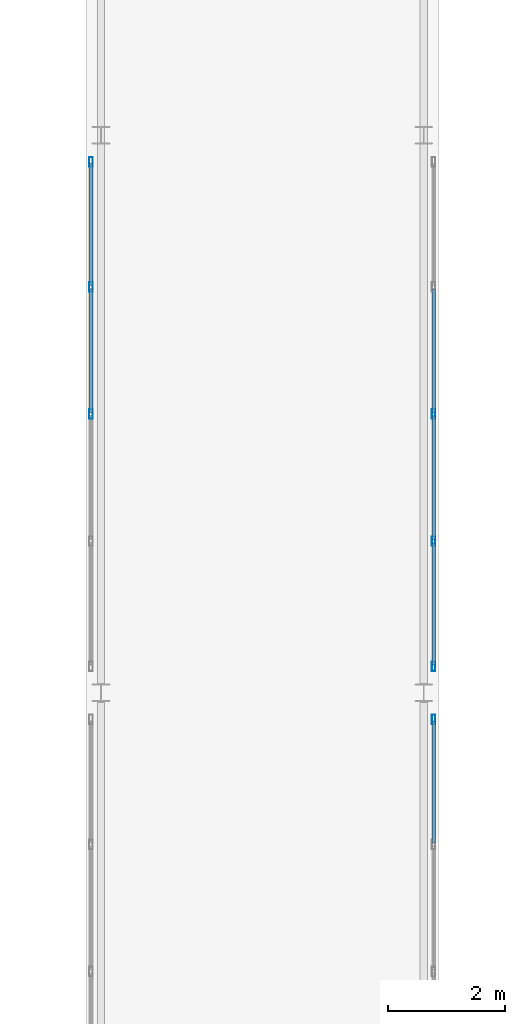
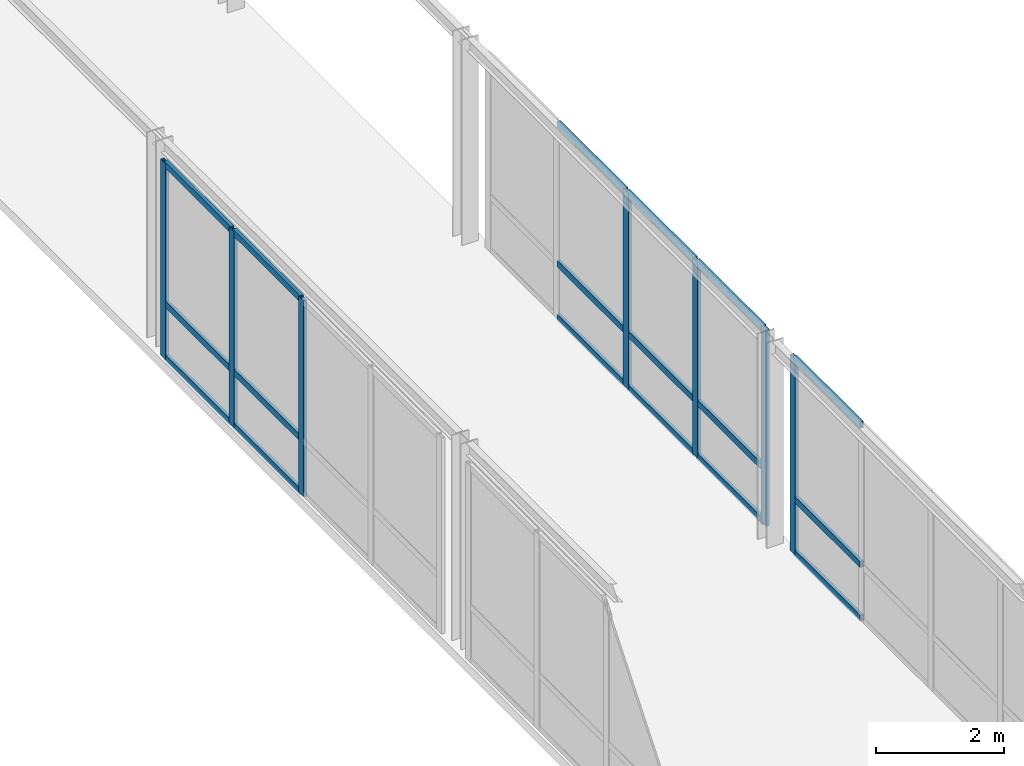
# One storey, part 42 of 189: 25 members, 3 elements without a shape of their own.
"""IFC4 building model written with IfcOpenShell, lengths in metres."""

from ifc_helpers import new_model, si_unit, direction, frame, origin, origin_2d, place, context, subcontext, project, spatial, hollow_rectangle, extrude, material, layer, layer_set, material_profile, profile_set, type_object, element, aggregate, save


model = new_model("IFC4")

# Units and contexts
model_context = context("Model", 3, precision=1e-05, world=origin(), true_north=direction((0.0, 1.0)))
body_context = subcontext(model_context, "Body", "Model", "MODEL_VIEW")
ifc_project = project(units=[si_unit("LENGTHUNIT", "METRE"), si_unit("AREAUNIT", "SQUARE_METRE"), si_unit("VOLUMEUNIT", "CUBIC_METRE"), si_unit("PLANEANGLEUNIT", "RADIAN"), si_unit("MASSUNIT", "GRAM", prefix="KILO")], contexts=[model_context])

# Site, building, storey
site_placement = place(None, origin())
site = spatial("IfcSite", under=ifc_project, at=site_placement, CompositionType="ELEMENT")
building_placement = place(site_placement, origin())
building = spatial("IfcBuilding", under=site, at=building_placement, Name="Montecoro Central Library", CompositionType="ELEMENT")
storey_placement = place(building_placement, frame((0.0, 0.0, 9.179931640625)))
storey = spatial("IfcBuildingStorey", under=building, at=storey_placement, Name="L02", CompositionType="ELEMENT", Elevation=9.179931640625)

# Curtain wall, members
ifc_material_1 = material(Name="Bronze-anodised aluminium and low-E glazing", Category="aluminium")
ifc_layer_1 = layer(ifc_material_1, 0.159912109375)
ifc_layer_set_1 = layer_set([ifc_layer_1], Name="Bronze-anodised aluminium and low-E glazing")
curtain_wall_type_1 = type_object("IfcCurtainWallType", Name="CWT-082", PredefinedType="NOTDEFINED", material=ifc_layer_set_1)
curtain_wall_1_placement = place(storey_placement, origin())
curtain_wall_1 = element("IfcCurtainWall", 1, at=curtain_wall_1_placement, inside=storey, type_object=curtain_wall_type_1, Name="BR-W-L02-CW-W2", PredefinedType="NOTDEFINED")
ifc_material_2 = material(Name="Bronze-anodised aluminium", Category="aluminium")
ifc_material_profile_1 = material_profile(ifc_material_2, hollow_rectangle(XDim=0.06005859375, YDim=0.159912109375, WallThickness=0.00390625, at=origin_2d()), Name="CWM 160x60x4.0")
ifc_profile_set_1 = profile_set([ifc_material_profile_1], Name="Bronze-anodised aluminium")
member_type_1 = type_object("IfcMemberType", Name="CWM-BRZ-60", PredefinedType="MULLION", material=ifc_profile_set_1)
member_1_placement = place(storey_placement, frame((24.8798828125, 59.14990234375, 0.0), z_axis=(0.0, 0.0, 1.0), x_axis=(-1.0, 0.0, 0.0)))
member_1 = element("IfcMember", 2, at=member_1_placement, type_object=member_type_1, Name="CW-082 mullion 3", PredefinedType="MULLION", context=body_context, shape_type="SweptSolid", body=[
    extrude(hollow_rectangle(XDim=0.06005859375, YDim=0.159912109375, WallThickness=0.00390625, at=origin_2d()), origin(), (0.0, 0.0, 1.0), 3.72998046875),
])
member_2_placement = place(storey_placement, frame((24.8798828125, 61.31494140625, 0.0), z_axis=(0.0, 0.0, 1.0), x_axis=(-1.0, 0.0, 0.0)))
member_2 = element("IfcMember", 3, at=member_2_placement, type_object=member_type_1, Name="CW-082 mullion 4", PredefinedType="MULLION", context=body_context, shape_type="SweptSolid", body=[
    extrude(hollow_rectangle(XDim=0.06005859375, YDim=0.159912109375, WallThickness=0.00390625, at=origin_2d()), origin(), (0.0, 0.0, 1.0), 3.72998046875),
])
member_3_placement = place(storey_placement, frame((24.8798828125, 63.449951171875, 0.0), z_axis=(0.0, 0.0, 1.0), x_axis=(-1.0, 0.0, 0.0)))
member_3 = element("IfcMember", 4, at=member_3_placement, type_object=member_type_1, Name="CW-082 mullion 5", PredefinedType="MULLION", context=body_context, shape_type="SweptSolid", body=[
    extrude(hollow_rectangle(XDim=0.06005859375, YDim=0.159912109375, WallThickness=0.00390625, at=origin_2d()), origin(), (0.0, 0.0, 1.0), 3.72998046875),
])

# Curtain wall, member
ifc_layer_2 = layer(ifc_material_1, 0.159912109375)
ifc_layer_set_2 = layer_set([ifc_layer_2], Name="Bronze-anodised aluminium and low-E glazing")
curtain_wall_type_2 = type_object("IfcCurtainWallType", Name="CWT-081", PredefinedType="NOTDEFINED", material=ifc_layer_set_2)
curtain_wall_2_placement = place(storey_placement, origin())
curtain_wall_2 = element("IfcCurtainWall", 5, at=curtain_wall_2_placement, inside=storey, type_object=curtain_wall_type_2, Name="BR-W-L02-CW-E1", PredefinedType="NOTDEFINED")
member_4_placement = place(storey_placement, frame((30.719970703125, 53.949951171875, 0.0), z_axis=(0.0, 0.0, 1.0), x_axis=(-1.0, 0.0, 0.0)))
member_4 = element("IfcMember", 6, at=member_4_placement, type_object=member_type_1, Name="CW-081 mullion 5", PredefinedType="MULLION", context=body_context, shape_type="SweptSolid", body=[
    extrude(hollow_rectangle(XDim=0.06005859375, YDim=0.159912109375, WallThickness=0.00390625, at=origin_2d()), origin(), (0.0, 0.0, 1.0), 3.72998046875),
])

# Curtain wall, members
curtain_wall_3_placement = place(storey_placement, origin())
curtain_wall_3 = element("IfcCurtainWall", 7, at=curtain_wall_3_placement, inside=storey, type_object=curtain_wall_type_1, Name="BR-W-L02-CW-E2", PredefinedType="NOTDEFINED")
member_5_placement = place(storey_placement, frame((30.719970703125, 54.85009765625, 0.0), z_axis=(0.0, 0.0, 1.0), x_axis=(-1.0, 0.0, 0.0)))
member_5 = element("IfcMember", 8, at=member_5_placement, type_object=member_type_1, Name="CW-082 mullion 1", PredefinedType="MULLION", context=body_context, shape_type="SweptSolid", body=[
    extrude(hollow_rectangle(XDim=0.06005859375, YDim=0.159912109375, WallThickness=0.00390625, at=origin_2d()), origin(), (0.0, 0.0, 1.0), 3.72998046875),
])
member_6_placement = place(storey_placement, frame((30.719970703125, 56.985107421875, 0.0), z_axis=(0.0, 0.0, 1.0), x_axis=(-1.0, 0.0, 0.0)))
member_6 = element("IfcMember", 9, at=member_6_placement, type_object=member_type_1, Name="CW-082 mullion 2", PredefinedType="MULLION", context=body_context, shape_type="SweptSolid", body=[
    extrude(hollow_rectangle(XDim=0.06005859375, YDim=0.159912109375, WallThickness=0.00390625, at=origin_2d()), origin(), (0.0, 0.0, 1.0), 3.72998046875),
])
member_7_placement = place(storey_placement, frame((30.719970703125, 59.14990234375, 0.0), z_axis=(0.0, 0.0, 1.0), x_axis=(-1.0, 0.0, 0.0)))
member_7 = element("IfcMember", 10, at=member_7_placement, type_object=member_type_1, Name="CW-082 mullion 3", PredefinedType="MULLION", context=body_context, shape_type="SweptSolid", body=[
    extrude(hollow_rectangle(XDim=0.06005859375, YDim=0.159912109375, WallThickness=0.00390625, at=origin_2d()), origin(), (0.0, 0.0, 1.0), 3.72998046875),
])

# Member
ifc_material_profile_2 = material_profile(ifc_material_2, hollow_rectangle(XDim=0.06005859375, YDim=0.1201171875, WallThickness=0.00390625, at=origin_2d()), Name="CWT 120x60x4.0")
ifc_profile_set_2 = profile_set([ifc_material_profile_2], Name="Bronze-anodised aluminium")
member_type_2 = type_object("IfcMemberType", Name="CWT-BRZ-60", PredefinedType="USERDEFINED", material=ifc_profile_set_2)
member_8_placement = place(storey_placement, frame((24.8798828125, 59.179931640625, 0.030029296875), z_axis=(0.0, 1.0, 0.0), x_axis=(-1.0, 0.0, 0.0)))
member_8 = element("IfcMember", 11, at=member_8_placement, type_object=member_type_2, Name="CW-082 transom 3.1", ObjectType="TRANSOM", PredefinedType="USERDEFINED", context=body_context, shape_type="SweptSolid", body=[
    extrude(hollow_rectangle(XDim=0.06005859375, YDim=0.1201171875, WallThickness=0.00390625, at=origin_2d()), origin(), (0.0, 0.0, 1.0), 2.10498046875),
])

member_9_placement = place(storey_placement, frame((24.8798828125, 59.179931640625, 1.050048828125), z_axis=(0.0, 1.0, 0.0), x_axis=(-1.0, 0.0, 0.0)))
member_9 = element("IfcMember", 12, at=member_9_placement, type_object=member_type_2, Name="CW-082 transom 3.2", ObjectType="TRANSOM", PredefinedType="USERDEFINED", context=body_context, shape_type="SweptSolid", body=[
    extrude(hollow_rectangle(XDim=0.06005859375, YDim=0.1201171875, WallThickness=0.00390625, at=origin_2d()), origin(), (0.0, 0.0, 1.0), 2.10498046875),
])

member_10_placement = place(storey_placement, frame((24.8798828125, 59.179931640625, 3.699951171875), z_axis=(0.0, 1.0, 0.0), x_axis=(-1.0, 0.0, 0.0)))
member_10 = element("IfcMember", 13, at=member_10_placement, type_object=member_type_2, Name="CW-082 transom 3.3", ObjectType="TRANSOM", PredefinedType="USERDEFINED", context=body_context, shape_type="SweptSolid", body=[
    extrude(hollow_rectangle(XDim=0.06005859375, YDim=0.1201171875, WallThickness=0.00390625, at=origin_2d()), origin(), (0.0, 0.0, 1.0), 2.10498046875),
])

member_11_placement = place(storey_placement, frame((24.8798828125, 61.344970703125, 0.030029296875), z_axis=(0.0, 1.0, 0.0), x_axis=(-1.0, 0.0, 0.0)))
member_11 = element("IfcMember", 14, at=member_11_placement, type_object=member_type_2, Name="CW-082 transom 4.1", ObjectType="TRANSOM", PredefinedType="USERDEFINED", context=body_context, shape_type="SweptSolid", body=[
    extrude(hollow_rectangle(XDim=0.06005859375, YDim=0.1201171875, WallThickness=0.00390625, at=origin_2d()), origin(), (0.0, 0.0, 1.0), 2.074951171875),
])

member_12_placement = place(storey_placement, frame((24.8798828125, 61.344970703125, 1.050048828125), z_axis=(0.0, 1.0, 0.0), x_axis=(-1.0, 0.0, 0.0)))
member_12 = element("IfcMember", 15, at=member_12_placement, type_object=member_type_2, Name="CW-082 transom 4.2", ObjectType="TRANSOM", PredefinedType="USERDEFINED", context=body_context, shape_type="SweptSolid", body=[
    extrude(hollow_rectangle(XDim=0.06005859375, YDim=0.1201171875, WallThickness=0.00390625, at=origin_2d()), origin(), (0.0, 0.0, 1.0), 2.074951171875),
])

member_13_placement = place(storey_placement, frame((24.8798828125, 61.344970703125, 3.699951171875), z_axis=(0.0, 1.0, 0.0), x_axis=(-1.0, 0.0, 0.0)))
member_13 = element("IfcMember", 16, at=member_13_placement, type_object=member_type_2, Name="CW-082 transom 4.3", ObjectType="TRANSOM", PredefinedType="USERDEFINED", context=body_context, shape_type="SweptSolid", body=[
    extrude(hollow_rectangle(XDim=0.06005859375, YDim=0.1201171875, WallThickness=0.00390625, at=origin_2d()), origin(), (0.0, 0.0, 1.0), 2.074951171875),
])

aggregate(curtain_wall_1, [member_1, member_2, member_3, member_8, member_9, member_10, member_11, member_12, member_13])

member_14_placement = place(storey_placement, frame((30.719970703125, 51.844970703125, 0.030029296875), z_axis=(0.0, 1.0, 0.0), x_axis=(-1.0, 0.0, 0.0)))
member_14 = element("IfcMember", 17, at=member_14_placement, type_object=member_type_2, Name="CW-081 transom 4.1", ObjectType="TRANSOM", PredefinedType="USERDEFINED", context=body_context, shape_type="SweptSolid", body=[
    extrude(hollow_rectangle(XDim=0.06005859375, YDim=0.1201171875, WallThickness=0.00390625, at=origin_2d()), origin(), (0.0, 0.0, 1.0), 2.074951171875),
])

member_15_placement = place(storey_placement, frame((30.719970703125, 51.844970703125, 1.050048828125), z_axis=(0.0, 1.0, 0.0), x_axis=(-1.0, 0.0, 0.0)))
member_15 = element("IfcMember", 18, at=member_15_placement, type_object=member_type_2, Name="CW-081 transom 4.2", ObjectType="TRANSOM", PredefinedType="USERDEFINED", context=body_context, shape_type="SweptSolid", body=[
    extrude(hollow_rectangle(XDim=0.06005859375, YDim=0.1201171875, WallThickness=0.00390625, at=origin_2d()), origin(), (0.0, 0.0, 1.0), 2.074951171875),
])

member_16_placement = place(storey_placement, frame((30.719970703125, 51.844970703125, 3.699951171875), z_axis=(0.0, 1.0, 0.0), x_axis=(-1.0, 0.0, 0.0)))
member_16 = element("IfcMember", 19, at=member_16_placement, type_object=member_type_2, Name="CW-081 transom 4.3", ObjectType="TRANSOM", PredefinedType="USERDEFINED", context=body_context, shape_type="SweptSolid", body=[
    extrude(hollow_rectangle(XDim=0.06005859375, YDim=0.1201171875, WallThickness=0.00390625, at=origin_2d()), origin(), (0.0, 0.0, 1.0), 2.074951171875),
])

aggregate(curtain_wall_2, [member_4, member_14, member_15, member_16])

member_17_placement = place(storey_placement, frame((30.719970703125, 54.8798828125, 0.030029296875), z_axis=(0.0, 1.0, 0.0), x_axis=(-1.0, 0.0, 0.0)))
member_17 = element("IfcMember", 20, at=member_17_placement, type_object=member_type_2, Name="CW-082 transom 1.1", ObjectType="TRANSOM", PredefinedType="USERDEFINED", context=body_context, shape_type="SweptSolid", body=[
    extrude(hollow_rectangle(XDim=0.06005859375, YDim=0.1201171875, WallThickness=0.00390625, at=origin_2d()), origin(), (0.0, 0.0, 1.0), 2.0751953125),
])

member_18_placement = place(storey_placement, frame((30.719970703125, 54.8798828125, 1.050048828125), z_axis=(0.0, 1.0, 0.0), x_axis=(-1.0, 0.0, 0.0)))
member_18 = element("IfcMember", 21, at=member_18_placement, type_object=member_type_2, Name="CW-082 transom 1.2", ObjectType="TRANSOM", PredefinedType="USERDEFINED", context=body_context, shape_type="SweptSolid", body=[
    extrude(hollow_rectangle(XDim=0.06005859375, YDim=0.1201171875, WallThickness=0.00390625, at=origin_2d()), origin(), (0.0, 0.0, 1.0), 2.0751953125),
])

member_19_placement = place(storey_placement, frame((30.719970703125, 54.8798828125, 3.699951171875), z_axis=(0.0, 1.0, 0.0), x_axis=(-1.0, 0.0, 0.0)))
member_19 = element("IfcMember", 22, at=member_19_placement, type_object=member_type_2, Name="CW-082 transom 1.3", ObjectType="TRANSOM", PredefinedType="USERDEFINED", context=body_context, shape_type="SweptSolid", body=[
    extrude(hollow_rectangle(XDim=0.06005859375, YDim=0.1201171875, WallThickness=0.00390625, at=origin_2d()), origin(), (0.0, 0.0, 1.0), 2.0751953125),
])

member_20_placement = place(storey_placement, frame((30.719970703125, 57.014892578125, 0.030029296875), z_axis=(0.0, 1.0, 0.0), x_axis=(-1.0, 0.0, 0.0)))
member_20 = element("IfcMember", 23, at=member_20_placement, type_object=member_type_2, Name="CW-082 transom 2.1", ObjectType="TRANSOM", PredefinedType="USERDEFINED", context=body_context, shape_type="SweptSolid", body=[
    extrude(hollow_rectangle(XDim=0.06005859375, YDim=0.1201171875, WallThickness=0.00390625, at=origin_2d()), origin(), (0.0, 0.0, 1.0), 2.105224609375),
])

member_21_placement = place(storey_placement, frame((30.719970703125, 57.014892578125, 1.050048828125), z_axis=(0.0, 1.0, 0.0), x_axis=(-1.0, 0.0, 0.0)))
member_21 = element("IfcMember", 24, at=member_21_placement, type_object=member_type_2, Name="CW-082 transom 2.2", ObjectType="TRANSOM", PredefinedType="USERDEFINED", context=body_context, shape_type="SweptSolid", body=[
    extrude(hollow_rectangle(XDim=0.06005859375, YDim=0.1201171875, WallThickness=0.00390625, at=origin_2d()), origin(), (0.0, 0.0, 1.0), 2.105224609375),
])

member_22_placement = place(storey_placement, frame((30.719970703125, 57.014892578125, 3.699951171875), z_axis=(0.0, 1.0, 0.0), x_axis=(-1.0, 0.0, 0.0)))
member_22 = element("IfcMember", 25, at=member_22_placement, type_object=member_type_2, Name="CW-082 transom 2.3", ObjectType="TRANSOM", PredefinedType="USERDEFINED", context=body_context, shape_type="SweptSolid", body=[
    extrude(hollow_rectangle(XDim=0.06005859375, YDim=0.1201171875, WallThickness=0.00390625, at=origin_2d()), origin(), (0.0, 0.0, 1.0), 2.105224609375),
])

member_23_placement = place(storey_placement, frame((30.719970703125, 59.179931640625, 0.030029296875), z_axis=(0.0, 1.0, 0.0), x_axis=(-1.0, 0.0, 0.0)))
member_23 = element("IfcMember", 26, at=member_23_placement, type_object=member_type_2, Name="CW-082 transom 3.1", ObjectType="TRANSOM", PredefinedType="USERDEFINED", context=body_context, shape_type="SweptSolid", body=[
    extrude(hollow_rectangle(XDim=0.06005859375, YDim=0.1201171875, WallThickness=0.00390625, at=origin_2d()), origin(), (0.0, 0.0, 1.0), 2.10498046875),
])

member_24_placement = place(storey_placement, frame((30.719970703125, 59.179931640625, 1.050048828125), z_axis=(0.0, 1.0, 0.0), x_axis=(-1.0, 0.0, 0.0)))
member_24 = element("IfcMember", 27, at=member_24_placement, type_object=member_type_2, Name="CW-082 transom 3.2", ObjectType="TRANSOM", PredefinedType="USERDEFINED", context=body_context, shape_type="SweptSolid", body=[
    extrude(hollow_rectangle(XDim=0.06005859375, YDim=0.1201171875, WallThickness=0.00390625, at=origin_2d()), origin(), (0.0, 0.0, 1.0), 2.10498046875),
])

member_25_placement = place(storey_placement, frame((30.719970703125, 59.179931640625, 3.699951171875), z_axis=(0.0, 1.0, 0.0), x_axis=(-1.0, 0.0, 0.0)))
member_25 = element("IfcMember", 28, at=member_25_placement, type_object=member_type_2, Name="CW-082 transom 3.3", ObjectType="TRANSOM", PredefinedType="USERDEFINED", context=body_context, shape_type="SweptSolid", body=[
    extrude(hollow_rectangle(XDim=0.06005859375, YDim=0.1201171875, WallThickness=0.00390625, at=origin_2d()), origin(), (0.0, 0.0, 1.0), 2.10498046875),
])

aggregate(curtain_wall_3, [member_5, member_6, member_7, member_17, member_18, member_19, member_20, member_21, member_22, member_23, member_24, member_25])

save(model, "model.ifc")
